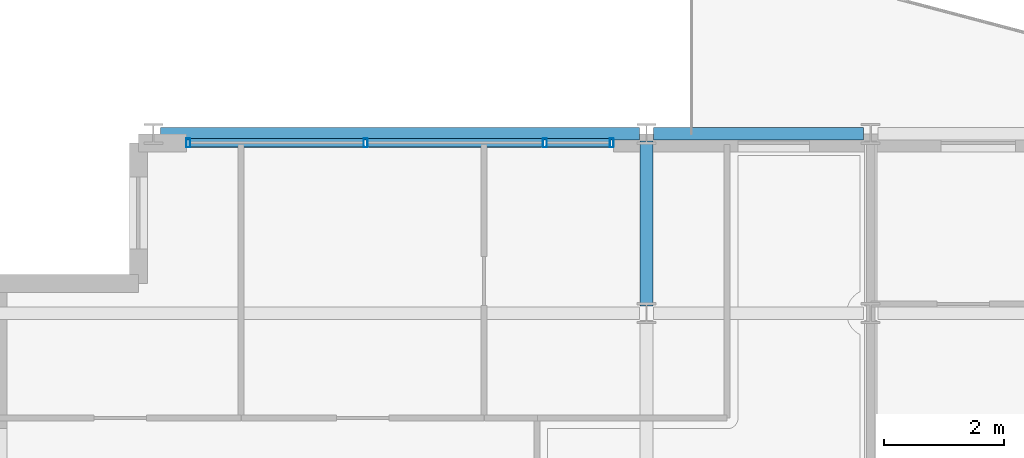
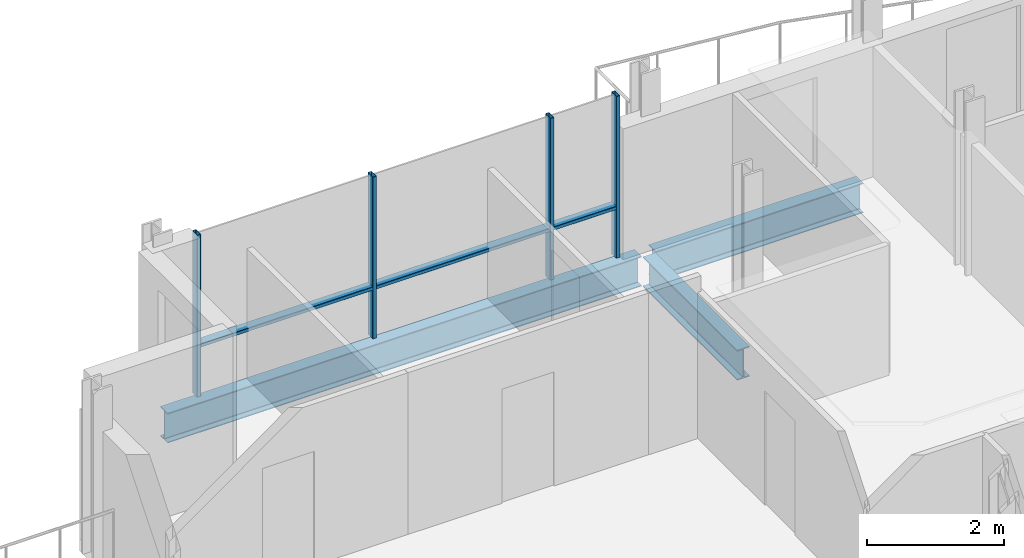
# One storey, part 2 of 12: 7 members, 3 beams, 1 element without a shape of its own.
"""IFC4 building model written with IfcOpenShell, lengths in metres."""

import ifcopenshell
import ifcopenshell.guid

model = None  # the IFC model being written
_history = None  # IfcOwnerHistory: only IFC2X3 demands one
_inside = {}  # id of a spatial element -> (the spatial element, [elements in it])
_under = {}  # id of a project, library or spatial element -> (it, [spatial elements below it])
_declared = {}  # id of a project -> (the project, [libraries it declares])
_typed = {}  # id of a type object -> (the type object, [elements of that type])
_made_of = {}  # id of a material, layer set ... -> (it, [elements and type objects made of it])


def new_model(schema):
    """Start an empty IFC model of exactly this schema.

    Asked for "IFC4X3", IfcOpenShell would pick the latest addendum, in which some entities
    have other attributes; the version numbers below select the first issue.
    IFC2X3 requires an IfcOwnerHistory on every rooted entity: one is made here for all.
    """
    global model, _history
    if schema == "IFC4X3":
        model = ifcopenshell.file(schema_version=(4, 3, 0, 0))
    else:
        model = ifcopenshell.file(schema=schema)
    _inside.clear()
    _under.clear()
    _declared.clear()
    _typed.clear()
    _made_of.clear()
    _history = None
    if model.schema == "IFC2X3":
        org = make("IfcOrganization", Name="unknown")
        user = make(
            "IfcPersonAndOrganization",
            ThePerson=make("IfcPerson", FamilyName="unknown"),
            TheOrganization=org,
        )
        app = make(
            "IfcApplication",
            ApplicationDeveloper=org,
            Version="unknown",
            ApplicationFullName="unknown",
            ApplicationIdentifier="unknown",
        )
        _history = make(
            "IfcOwnerHistory",
            OwningUser=user,
            OwningApplication=app,
            ChangeAction="ADDED",
            CreationDate=0,
        )
    return model


def make(cls, **values):
    """One entity of the class cls with the attributes given. An attribute that is None is left unset."""
    return model.create_entity(
        cls, **{name: value for name, value in values.items() if value is not None}
    )


def rooted(cls, **values):
    """An entity with a GlobalId (a new one), such as an element, a storey or a relation."""
    return make(cls, GlobalId=ifcopenshell.guid.new(), OwnerHistory=_history, **values)


def si_unit(unit_type, name, prefix=None):
    """IfcSIUnit, for example si_unit("LENGTHUNIT", "METRE", prefix="MILLI")."""
    return make("IfcSIUnit", UnitType=unit_type, Prefix=prefix, Name=name)


def assignment(units):
    """IfcUnitAssignment: the units of a project."""
    return None if units is None else make("IfcUnitAssignment", Units=units)


def point(xyz):
    """IfcCartesianPoint."""
    return None if xyz is None else make("IfcCartesianPoint", Coordinates=xyz)


def direction(xyz):
    """IfcDirection."""
    return None if xyz is None else make("IfcDirection", DirectionRatios=xyz)


def frame(location, z_axis=None, x_axis=None):
    """IfcAxis2Placement3D, a coordinate frame: its origin and axes. An axis left out is left unset."""
    return make(
        "IfcAxis2Placement3D",
        Location=point(location),
        Axis=direction(z_axis),
        RefDirection=direction(x_axis),
    )


def frame_2d(location, x_axis=None):
    """IfcAxis2Placement2D, a coordinate frame in the plane: its origin and x axis."""
    return make(
        "IfcAxis2Placement2D", Location=point(location), RefDirection=direction(x_axis)
    )


def origin():
    """The frame at (0, 0, 0) with its axes left unset."""
    return frame((0.0, 0.0, 0.0))


def origin_2d():
    """The frame at (0, 0) in the plane with its x axis left unset."""
    return frame_2d((0.0, 0.0))


def place(relative_to, where):
    """IfcLocalPlacement: puts the frame where relative to a parent placement (None: the world)."""
    return make(
        "IfcLocalPlacement", PlacementRelTo=relative_to, RelativePlacement=where
    )


def context(
    kind, dimensions, precision=None, world=None, true_north=None, identifier=None
):
    """IfcGeometricRepresentationContext, for example the 3D "Model" context."""
    return make(
        "IfcGeometricRepresentationContext",
        ContextIdentifier=identifier,
        ContextType=kind,
        CoordinateSpaceDimension=dimensions,
        Precision=precision,
        WorldCoordinateSystem=world,
        TrueNorth=true_north,
    )


def subcontext(parent, identifier, kind, view, scale=None):
    """IfcGeometricRepresentationSubContext, for example "Body" below "Model"."""
    return make(
        "IfcGeometricRepresentationSubContext",
        ContextIdentifier=identifier,
        ContextType=kind,
        ParentContext=parent,
        TargetScale=scale,
        TargetView=view,
    )


def project(units=None, contexts=None):
    """IfcProject with its units and contexts."""
    return rooted(
        "IfcProject",
        Name="project",
        RepresentationContexts=contexts,
        UnitsInContext=assignment(units),
    )


def spatial(cls, under=None, at=None, **own):
    """A site, building, storey or space (cls), placed at a placement, below another one or the project."""
    s = rooted(cls, ObjectPlacement=at, **own)
    if under is not None:
        _under.setdefault(under.id(), (under, []))[1].append(s)
    return s


def profile(cls, at=None, kind="AREA", **sizes):
    """A parametric profile (cls). Its sizes go by their IFC names, for example OverallWidth=200.0."""
    return make(cls, ProfileType=kind, Position=at, **sizes)


def hollow_rectangle(**sizes):
    """IfcRectangleHollowProfileDef."""
    return profile("IfcRectangleHollowProfileDef", **sizes)


def i_section(**sizes):
    """IfcIShapeProfileDef."""
    return profile("IfcIShapeProfileDef", **sizes)


def extrude(swept, where, along, depth):
    """IfcExtrudedAreaSolid: the profile swept, set in the frame where, extruded along a direction by depth."""
    return make(
        "IfcExtrudedAreaSolid",
        SweptArea=swept,
        Position=where,
        ExtrudedDirection=direction(along),
        Depth=depth,
    )


def shape(context_of_items, identifier, shape_type, items):
    """IfcShapeRepresentation: the items that make up one representation, for example the "Body"."""
    return make(
        "IfcShapeRepresentation",
        ContextOfItems=context_of_items,
        RepresentationIdentifier=identifier,
        RepresentationType=shape_type,
        Items=items,
    )


def material(Name=None, Category=None):
    """IfcMaterial."""
    return make("IfcMaterial", Name=Name, Category=Category)


def layer(
    of_material, thickness, ventilated=None, Name=None, Category=None, Priority=None
):
    """IfcMaterialLayer: one layer of a wall or slab, of a material (None: an air gap)."""
    return make(
        "IfcMaterialLayer",
        Material=of_material,
        LayerThickness=thickness,
        IsVentilated=ventilated,
        Name=Name,
        Category=Category,
        Priority=Priority,
    )


def layer_set(layers, Name=None):
    """IfcMaterialLayerSet."""
    return make("IfcMaterialLayerSet", MaterialLayers=layers, LayerSetName=Name)


def material_profile(
    of_material, cross_section, Name=None, Category=None, Priority=None
):
    """IfcMaterialProfile: a cross section and its material."""
    return make(
        "IfcMaterialProfile",
        Name=Name,
        Material=of_material,
        Profile=cross_section,
        Priority=Priority,
        Category=Category,
    )


def profile_set(profiles, Name=None, composite=None):
    """IfcMaterialProfileSet."""
    return make(
        "IfcMaterialProfileSet",
        Name=Name,
        MaterialProfiles=profiles,
        CompositeProfile=composite,
    )


def made_of(thing, what):
    """Note that an element or type object is made of a material, layer set ...; save() writes the relation."""
    if what is not None:
        _made_of.setdefault(what.id(), (what, []))[1].append(thing)
    return thing


def type_object(cls, material=None, **own):
    """A type object (cls), such as IfcWallType, which elements share."""
    return made_of(rooted(cls, **own), material)


def element(
    cls,
    number,
    at=None,
    inside=None,
    cuts=None,
    type_object=None,
    material=None,
    context=None,
    identifier="Body",
    shape_type=None,
    held_by="IfcProductDefinitionShape",
    body=None,
    shapes=None,
    **own,
):
    """One element of the class cls, such as IfcWall. Its Tag is "e" and its number.

    at: its placement. inside: the storey or other place that contains it. cuts: it is an
    opening in that element (IfcRelVoidsElement). A single representation is given by context,
    identifier, shape_type and body (its items); several are given by shapes. held_by: the class
    of the entity that holds the representations. save() writes the other relations.
    """
    e = rooted(cls, Tag="e%d" % number, ObjectPlacement=at, **own)
    if body is not None:
        shapes = [shape(context, identifier, shape_type, body)]
    if shapes is not None:
        e.Representation = make(held_by, Representations=shapes)
    if inside is not None:
        _inside.setdefault(inside.id(), (inside, []))[1].append(e)
    if cuts is not None:
        rooted(
            "IfcRelVoidsElement", RelatingBuildingElement=cuts, RelatedOpeningElement=e
        )
    if type_object is not None:
        _typed.setdefault(type_object.id(), (type_object, []))[1].append(e)
    return made_of(e, material)


def aggregate(whole, parts):
    """IfcRelAggregates: a whole, such as a stair, and the parts it consists of."""
    return rooted("IfcRelAggregates", RelatingObject=whole, RelatedObjects=parts)


def save(model, path):
    """Write the relations noted so far, then the file.

    IfcRelAggregates (storeys below a building ...), IfcRelContainedInSpatialStructure (elements
    in a storey), IfcRelDefinesByType, IfcRelAssociatesMaterial and IfcRelDeclares: one each for
    every whole, place, type object, material and project.
    """
    for whole, parts in _under.values():
        aggregate(whole, parts)
    for where, things in _inside.values():
        rooted(
            "IfcRelContainedInSpatialStructure",
            RelatedElements=things,
            RelatingStructure=where,
        )
    for kind, things in _typed.values():
        rooted("IfcRelDefinesByType", RelatedObjects=things, RelatingType=kind)
    for what, things in _made_of.values():
        rooted("IfcRelAssociatesMaterial", RelatedObjects=things, RelatingMaterial=what)
    for by, libraries in _declared.values():
        rooted("IfcRelDeclares", RelatingContext=by, RelatedDefinitions=libraries)
    model.write(path)


model = new_model("IFC4")

# Units and contexts
model_context = context("Model", 3, precision=1e-05, world=origin(), true_north=direction((0.0, 1.0)))
body_context = subcontext(model_context, "Body", "Model", "MODEL_VIEW")
ifc_project = project(units=[si_unit("LENGTHUNIT", "METRE"), si_unit("AREAUNIT", "SQUARE_METRE"), si_unit("VOLUMEUNIT", "CUBIC_METRE"), si_unit("PLANEANGLEUNIT", "RADIAN"), si_unit("MASSUNIT", "GRAM", prefix="KILO")], contexts=[model_context])

# Site, building, storey
site_placement = place(None, origin())
site = spatial("IfcSite", under=ifc_project, at=site_placement, CompositionType="ELEMENT")
building_placement = place(site_placement, origin())
building = spatial("IfcBuilding", under=site, at=building_placement, Name="Brevholm Reach", CompositionType="ELEMENT")
storey_placement = place(building_placement, frame((0.0, 0.0, 227.300048828125)))
storey = spatial("IfcBuildingStorey", under=building, at=storey_placement, Name="L69", CompositionType="ELEMENT", Elevation=227.300048828125)

# Beams
ifc_material_1 = material(Name="Structural Steel S355J2", Category="steel")
ifc_material_profile_1 = material_profile(ifc_material_1, i_section(OverallWidth=0.209228515625, OverallDepth=0.533203125, WebThickness=0.010009765625, FlangeThickness=0.015625, FilletRadius=0.0126953125, at=origin_2d()), Name="UKB 533x210x92")
ifc_profile_set_1 = profile_set([ifc_material_profile_1], Name="Structural Steel S355J2")
beam_type_1 = type_object("IfcBeamType", Name="BM-SP533", PredefinedType="SPANDREL", material=ifc_profile_set_1)
beam_1_placement = place(storey_placement, frame((30.1201171875, 26.5, -0.4765625), z_axis=(1.0, 0.0, 0.0), x_axis=(0.0, 1.0, 0.0)))
element("IfcBeam", 1, at=beam_1_placement, inside=storey, type_object=beam_type_1, Name="L69 SP-02 Framing Beam", PredefinedType="SPANDREL", context=body_context, shape_type="SweptSolid", body=[
    extrude(i_section(OverallWidth=0.209228515625, OverallDepth=0.533203125, WebThickness=0.010009765625, FlangeThickness=0.015625, FilletRadius=0.0126953125, at=origin_2d()), origin(), (0.0, 0.0, 1.0), 8.009765625),
])
beam_2_placement = place(storey_placement, frame((38.3701171875, 26.5, -0.4765625), z_axis=(1.0, 0.0, 0.0), x_axis=(0.0, 1.0, 0.0)))
element("IfcBeam", 2, at=beam_2_placement, inside=storey, type_object=beam_type_1, Name="L69 SP-02 Framing Beam", PredefinedType="SPANDREL", context=body_context, shape_type="SweptSolid", body=[
    extrude(i_section(OverallWidth=0.209228515625, OverallDepth=0.533203125, WebThickness=0.010009765625, FlangeThickness=0.015625, FilletRadius=0.0126953125, at=origin_2d()), origin(), (0.0, 0.0, 1.0), 3.509765625),
])
ifc_material_2 = material(Name="Structural Steel S355J2", Category="steel")
ifc_material_profile_2 = material_profile(ifc_material_2, i_section(OverallWidth=0.210693359375, OverallDepth=0.53955078125, WebThickness=0.01171875, FlangeThickness=0.018798828125, FilletRadius=0.0126953125, at=origin_2d()), Name="UKB 533x210x109")
ifc_profile_set_2 = profile_set([ifc_material_profile_2], Name="Structural Steel S355J2")
beam_type_2 = type_object("IfcBeamType", Name="BM-SP539", PredefinedType="SPANDREL", material=ifc_profile_set_2)
beam_3_placement = place(storey_placement, frame((38.25, 23.6201171875, -0.479736328125), z_axis=(0.0, 1.0, 0.0), x_axis=(-1.0, 0.0, 0.0)))
element("IfcBeam", 3, at=beam_3_placement, inside=storey, type_object=beam_type_2, Name="L69 SP-01B Framing Beam", PredefinedType="SPANDREL", context=body_context, shape_type="SweptSolid", body=[
    extrude(i_section(OverallWidth=0.210693359375, OverallDepth=0.53955078125, WebThickness=0.01171875, FlangeThickness=0.018798828125, FilletRadius=0.0126953125, at=origin_2d()), origin(), (0.0, 0.0, 1.0), 2.759765625),
])

# Curtain wall, members
ifc_material_3 = material(Name="Dark Anodised Aluminium 6063-T6 and Solar-Control Glass", Category="aluminium")
ifc_layer = layer(ifc_material_3, 0.14990234375)
ifc_layer_set = layer_set([ifc_layer], Name="Dark Anodised Aluminium 6063-T6 and Solar-Control Glass")
curtain_wall_type = type_object("IfcCurtainWallType", Name="CW-01", PredefinedType="NOTDEFINED", material=ifc_layer_set)
curtain_wall_placement = place(storey_placement, origin())
curtain_wall = element("IfcCurtainWall", 4, at=curtain_wall_placement, inside=storey, type_object=curtain_wall_type, Name="L69 Curtain Wall CW-01", PredefinedType="NOTDEFINED")
ifc_material_4 = material(Name="Dark Anodised Aluminium 6063-T6", Category="aluminium")
ifc_material_profile_3 = material_profile(ifc_material_4, hollow_rectangle(XDim=0.06494140625, YDim=0.14990234375, WallThickness=0.0048828125, InnerFilletRadius=0.0048828125, OuterFilletRadius=0.010009765625, at=origin_2d()), Name="RHS 150x65x5")
ifc_profile_set_3 = profile_set([ifc_material_profile_3], Name="Dark Anodised Aluminium 6063-T6")
member_type_1 = type_object("IfcMemberType", Name="CWM-150", PredefinedType="MULLION", material=ifc_profile_set_3)
member_1_placement = place(storey_placement, frame((30.58251953125, 26.35009765625, 0.0), z_axis=(0.0, 0.0, 1.0), x_axis=(1.0, 0.0, 0.0)))
member_1 = element("IfcMember", 5, at=member_1_placement, type_object=member_type_1, Name="CM-150 Mullion 1", PredefinedType="MULLION", context=body_context, shape_type="SweptSolid", body=[
    extrude(hollow_rectangle(XDim=0.06494140625, YDim=0.14990234375, WallThickness=0.0048828125, InnerFilletRadius=0.0048828125, OuterFilletRadius=0.010009765625, at=origin_2d()), origin(), (0.0, 0.0, 1.0), 2.889892578125),
])
member_2_placement = place(storey_placement, frame((33.550048828125, 26.35009765625, 0.0), z_axis=(0.0, 0.0, 1.0), x_axis=(1.0, 0.0, 0.0)))
member_2 = element("IfcMember", 6, at=member_2_placement, type_object=member_type_1, Name="CM-150 Mullion 2", PredefinedType="MULLION", context=body_context, shape_type="SweptSolid", body=[
    extrude(hollow_rectangle(XDim=0.06494140625, YDim=0.14990234375, WallThickness=0.0048828125, InnerFilletRadius=0.0048828125, OuterFilletRadius=0.010009765625, at=origin_2d()), origin(), (0.0, 0.0, 1.0), 2.889892578125),
])
member_3_placement = place(storey_placement, frame((36.550048828125, 26.35009765625, 0.0), z_axis=(0.0, 0.0, 1.0), x_axis=(1.0, 0.0, 0.0)))
member_3 = element("IfcMember", 7, at=member_3_placement, type_object=member_type_1, Name="CM-150 Mullion 3", PredefinedType="MULLION", context=body_context, shape_type="SweptSolid", body=[
    extrude(hollow_rectangle(XDim=0.06494140625, YDim=0.14990234375, WallThickness=0.0048828125, InnerFilletRadius=0.0048828125, OuterFilletRadius=0.010009765625, at=origin_2d()), origin(), (0.0, 0.0, 1.0), 2.889892578125),
])
member_4_placement = place(storey_placement, frame((37.66748046875, 26.35009765625, 0.0), z_axis=(0.0, 0.0, 1.0), x_axis=(1.0, 0.0, 0.0)))
member_4 = element("IfcMember", 8, at=member_4_placement, type_object=member_type_1, Name="CM-150 Mullion 4", PredefinedType="MULLION", context=body_context, shape_type="SweptSolid", body=[
    extrude(hollow_rectangle(XDim=0.06494140625, YDim=0.14990234375, WallThickness=0.0048828125, InnerFilletRadius=0.0048828125, OuterFilletRadius=0.010009765625, at=origin_2d()), origin(), (0.0, 0.0, 1.0), 2.889892578125),
])
ifc_material_5 = material(Name="Dark Anodised Aluminium 6063-T6", Category="aluminium")
ifc_material_profile_4 = material_profile(ifc_material_5, hollow_rectangle(XDim=0.06494140625, YDim=0.14990234375, WallThickness=0.0048828125, InnerFilletRadius=0.0048828125, OuterFilletRadius=0.010009765625, at=origin_2d()), Name="RHS 150x65x5")
ifc_profile_set_4 = profile_set([ifc_material_profile_4], Name="Dark Anodised Aluminium 6063-T6")
member_type_2 = type_object("IfcMemberType", Name="CWT-150", PredefinedType="NOTDEFINED", material=ifc_profile_set_4)
member_5_placement = place(storey_placement, frame((30.614990234375, 26.35009765625, 0.89990234375), z_axis=(1.0, 0.0, 0.0), x_axis=(0.0, 0.0, 1.0)))
member_5 = element("IfcMember", 9, at=member_5_placement, type_object=member_type_2, Name="CT-150 Transom 1.1", ObjectType="TRANSOM", PredefinedType="USERDEFINED", context=body_context, shape_type="SweptSolid", body=[
    extrude(hollow_rectangle(XDim=0.06494140625, YDim=0.14990234375, WallThickness=0.0048828125, InnerFilletRadius=0.0048828125, OuterFilletRadius=0.010009765625, at=origin_2d()), origin(), (0.0, 0.0, 1.0), 2.902587890625),
])
member_6_placement = place(storey_placement, frame((33.58251953125, 26.35009765625, 0.89990234375), z_axis=(1.0, 0.0, 0.0), x_axis=(0.0, 0.0, 1.0)))
member_6 = element("IfcMember", 10, at=member_6_placement, type_object=member_type_2, Name="CT-150 Transom 2.1", ObjectType="TRANSOM", PredefinedType="USERDEFINED", context=body_context, shape_type="SweptSolid", body=[
    extrude(hollow_rectangle(XDim=0.06494140625, YDim=0.14990234375, WallThickness=0.0048828125, InnerFilletRadius=0.0048828125, OuterFilletRadius=0.010009765625, at=origin_2d()), origin(), (0.0, 0.0, 1.0), 2.93505859375),
])
member_7_placement = place(storey_placement, frame((36.58251953125, 26.35009765625, 0.89990234375), z_axis=(1.0, 0.0, 0.0), x_axis=(0.0, 0.0, 1.0)))
member_7 = element("IfcMember", 11, at=member_7_placement, type_object=member_type_2, Name="CT-150 Transom 3.1", ObjectType="TRANSOM", PredefinedType="USERDEFINED", context=body_context, shape_type="SweptSolid", body=[
    extrude(hollow_rectangle(XDim=0.06494140625, YDim=0.14990234375, WallThickness=0.0048828125, InnerFilletRadius=0.0048828125, OuterFilletRadius=0.010009765625, at=origin_2d()), origin(), (0.0, 0.0, 1.0), 1.052490234375),
])
aggregate(curtain_wall, [member_1, member_2, member_3, member_4, member_5, member_6, member_7])

save(model, "model.ifc")
